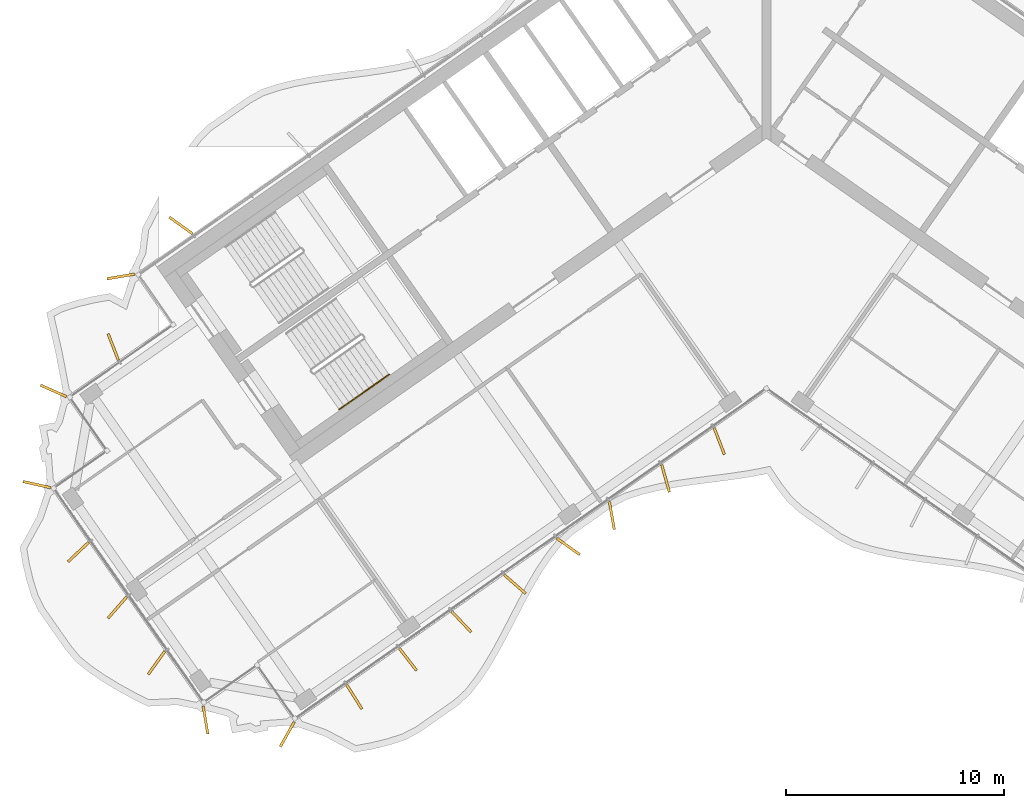
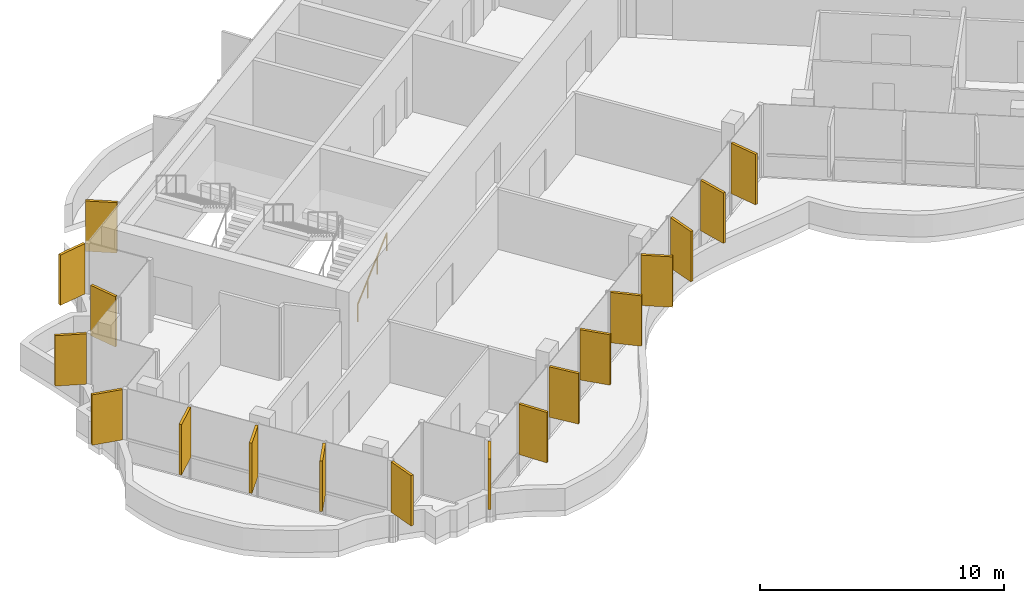
# One storey, part 14 of 18: 18 shading devices, 1 railing.
"""IFC4 building model written with IfcOpenShell, lengths in metres."""

from ifc_helpers import new_model, si_unit, direction, frame, origin, origin_2d, place, context, subcontext, project, spatial, rectangle, circle, extrude, material, layer, layer_set, type_object, element, save


model = new_model("IFC4")

# Units and contexts
model_context = context("Model", 3, precision=1e-05, world=origin(), true_north=direction((0.0, 1.0)))
body_context = subcontext(model_context, "Body", "Model", "MODEL_VIEW")
ifc_project = project(units=[si_unit("LENGTHUNIT", "METRE"), si_unit("AREAUNIT", "SQUARE_METRE"), si_unit("VOLUMEUNIT", "CUBIC_METRE"), si_unit("PLANEANGLEUNIT", "RADIAN"), si_unit("MASSUNIT", "GRAM", prefix="KILO")], contexts=[model_context])

# Site, building, storey
site_placement = place(None, origin())
site = spatial("IfcSite", under=ifc_project, at=site_placement, CompositionType="ELEMENT")
building_placement = place(site_placement, origin())
building = spatial("IfcBuilding", under=site, at=building_placement, Name="Tel Ilan Convention Tower", CompositionType="ELEMENT")
storey_placement = place(building_placement, frame((0.0, 0.0, 260.5)))
storey = spatial("IfcBuildingStorey", under=building, at=storey_placement, Name="L61", CompositionType="ELEMENT", Elevation=260.5)

# Shading devices
ifc_material_1 = material(Name="Aluminium, bronze anodised", Category="aluminium")
ifc_layer = layer(ifc_material_1, 0.1201171875)
ifc_layer_set = layer_set([ifc_layer], Name="FIN BRONZE 1300x120")
shading_device_type = type_object("IfcShadingDeviceType", Name="FIN BRONZE 1300x120", PredefinedType="USERDEFINED", material=ifc_layer_set)
for number, where, z_axis, x_axis, name in (
    (1, (-26.8662109375, -5.2216796875, 1.10009765625), (0.0, 0.0, 1.0), (-0.813552070258, 0.581492071294, 0.0), "FIN"),
    (2, (-29.619140625, -7.562255859375, 1.10009765625), (0.0, 0.0, 1.0), (-0.986445172547, -0.16409119891, 0.0), "FIN"),
    (3, (-29.970458984375, -10.79833984375, 1.10009765625), (0.0, 0.0, 1.0), (-0.360177724803, 0.932883704733, 0.0), "FIN"),
    (4, (-32.7119140625, -12.813720703125, 1.10009765625), (0.0, 0.0, 1.0), (-0.914332505315, 0.404964282034, 0.0), "FIN"),
    (5, (-33.476806640625, -17.113525390625, 1.10009765625), (0.0, 0.0, 1.0), (-0.975235208752, 0.221170268371, 0.0), "FIN"),
    (6, (-31.57080078125, -20.206787109375, 1.10009765625), (0.0, 0.0, 1.0), (-0.727373641577, -0.686241637865, 0.0), "FIN"),
    (7, (-29.780517578125, -22.752197265625, 1.10009765625), (0.0, 0.0, 1.0), (-0.657521368568, -0.753435896329, 0.0), "FIN"),
    (8, (-27.986328125, -25.292724609375, 1.10009765625), (0.0, 0.0, 1.0), (-0.581492071294, -0.813552070258, 0.0), "FIN"),
    (9, (-25.73974609375, -27.91162109375, 1.10009765625), (0.0, 0.0, 1.0), (0.16409119891, -0.986445172547, 0.0), "FIN"),
    (10, (-21.98779296875, -28.5732421875, 1.10009765625), (0.0, 0.0, 1.0), (-0.491579408049, -0.870832754082, 0.0), "FIN"),
    (11, (-18.90966796875, -26.854248046875, 1.10009765625), (0.0, 0.0, 1.0), (0.533204432798, -0.845986425922, 0.0), "FIN"),
    (12, (-16.450927734375, -25.132568359375, 1.10009765625), (0.0, 0.0, 1.0), (0.612600545196, -0.790392669516, 0.0), "FIN"),
    (13, (-13.992431640625, -23.410888671875, 1.10009765625), (0.0, 0.0, 1.0), (0.686241637865, -0.727373641577, 0.0), "FIN"),
    (14, (-11.538330078125, -21.6845703125, 1.10009765625), (0.0, 0.0, 1.0), (0.753435896329, -0.657521368568, 0.0), "FIN"),
    (15, (-9.0888671875, -19.9541015625, 1.10009765625), (0.0, 0.0, 1.0), (0.813552070258, -0.581492071294, 0.0), "FIN"),
    (16, (-7.094482421875, -18.53515625, 1.10009765625), (0.0, 0.0, 1.0), (0.173648177667, -0.984807753012, 0.0), "FIN"),
    (17, (-4.62890625, -16.831298828125, 1.10009765625), (0.0, 0.0, 1.0), (0.268172612768, -0.963370878614, 0.0), "FIN"),
    (18, (-2.1650390625, -15.121337890625, 1.10009765625), (0.0, 0.0, 1.0), (0.360177724803, -0.932883704733, 0.0), "FIN"),
):
    element("IfcShadingDevice", number, at=place(storey_placement, frame(where, z_axis=z_axis, x_axis=x_axis)), inside=storey, type_object=shading_device_type, Name=name, ObjectType="FIN", PredefinedType="USERDEFINED", context=body_context, shape_type="SweptSolid", body=[
        extrude(rectangle(XDim=1.300048828125, YDim=0.1201171875, at=origin_2d()), origin(), (0.0, 0.0, 1.0), 2.52001953125),
    ])

# Railing
ifc_material_2 = material(Name="Stainless Steel Grade 316", Category="steel")
railing_type = type_object("IfcRailingType", Name="Stainless Steel Stair Handrail 900 mm", PredefinedType="HANDRAIL", material=ifc_material_2)
railing_placement = place(storey_placement, frame((-19.6064453125, -13.66748046875, 0.17724609375)))
element("IfcRailing", 19, at=railing_placement, inside=storey, type_object=railing_type, Name="L61 S2 stair handrail 1", PredefinedType="HANDRAIL", context=body_context, shape_type="SweptSolid", body=[
    extrude(circle(Radius=0.02392578125, at=origin_2d()), frame((0.0, 0.0, 0.8759765625), z_axis=(0.692123088272, 0.484596665743, 0.534912798717), x_axis=(-0.573550118428, 0.819170471667, 0.0)), (0.0, 0.0, 1.0), 3.31396484375),
    extrude(circle(Radius=0.02099609375, at=origin_2d()), origin(), (0.0, 0.0, 1.0), 0.851806640625),
    extrude(circle(Radius=0.02099609375, at=origin_2d()), frame((0.7646484375, 0.535400390625, 0.5908203125)), (0.0, 0.0, 1.0), 0.851806640625),
    extrude(circle(Radius=0.02099609375, at=origin_2d()), frame((1.529052734375, 1.070556640625, 1.181884765625)), (0.0, 0.0, 1.0), 0.851806640625),
    extrude(circle(Radius=0.02099609375, at=origin_2d()), frame((2.293701171875, 1.60595703125, 1.772705078125)), (0.0, 0.0, 1.0), 0.851806640625),
])

save(model, "model.ifc")
